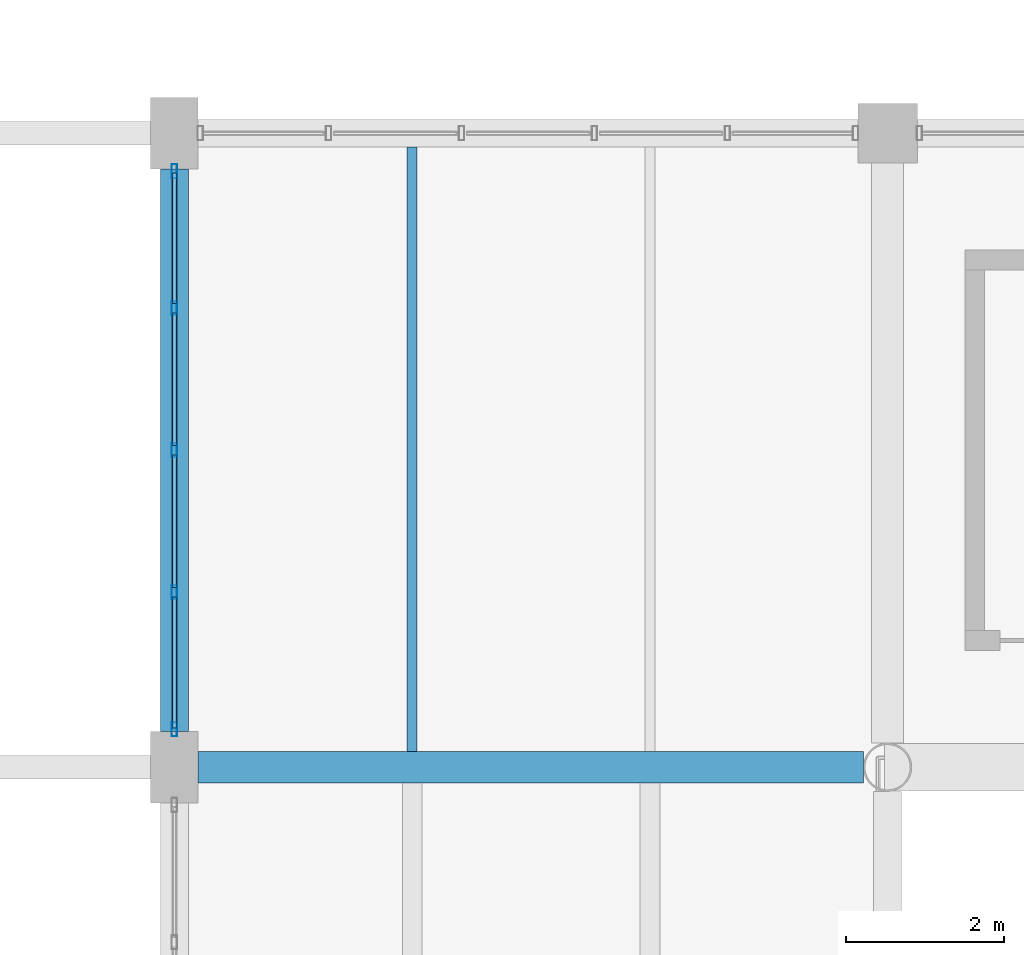
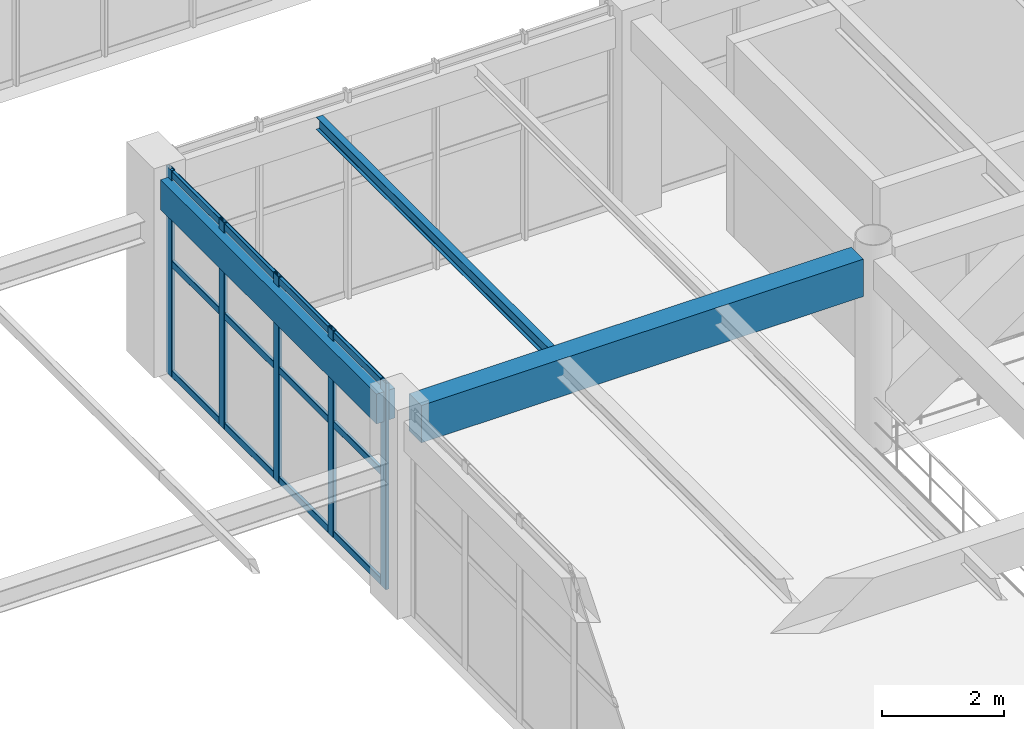
# One storey, part 56 of 148: 17 members, 3 beams, 1 element without a shape of its own.
"""IFC4 building model written with IfcOpenShell, lengths in metres."""

from ifc_helpers import new_model, si_unit, derived_unit, direction, frame, origin, origin_2d, place, context, subcontext, project, spatial, rectangle, hollow_rectangle, i_section, extrude, material, material_profile, profile_set, type_object, element, aggregate, save


model = new_model("IFC4")

# Units and contexts
model_context = context("Model", 3, precision=1e-05, world=origin(), true_north=direction((0.0, 1.0)))
body_context = subcontext(model_context, "Body", "Model", "MODEL_VIEW")
ifc_project = project(units=[si_unit("LENGTHUNIT", "METRE"), si_unit("AREAUNIT", "SQUARE_METRE"), si_unit("VOLUMEUNIT", "CUBIC_METRE"), si_unit("PLANEANGLEUNIT", "RADIAN"), si_unit("MASSUNIT", "GRAM", prefix="KILO"), derived_unit("THERMALTRANSMITTANCEUNIT", [(si_unit("MASSUNIT", "GRAM", prefix="KILO"), 1), (si_unit("TIMEUNIT", "SECOND"), -3), (si_unit("THERMODYNAMICTEMPERATUREUNIT", "KELVIN"), -1)])], contexts=[model_context])

# Site, building, storey
site_placement = place(None, origin())
site = spatial("IfcSite", under=ifc_project, at=site_placement, CompositionType="ELEMENT")
building_placement = place(site_placement, origin())
building = spatial("IfcBuilding", under=site, at=building_placement, Name="Zhenchuan Archway Interchange", CompositionType="ELEMENT")
storey_placement = place(building_placement, frame((0.0, 0.0, 10.199951171875)))
storey = spatial("IfcBuildingStorey", under=building, at=storey_placement, Name="L02", CompositionType="ELEMENT", Elevation=10.199951171875)

# Beam
ifc_material_1 = material(Name="Concrete C40", Category="concrete")
ifc_material_profile_1 = material_profile(ifc_material_1, rectangle(XDim=0.39990234375, YDim=0.75, at=origin_2d()), Name="RC 400x750")
ifc_profile_set_1 = profile_set([ifc_material_profile_1], Name="Concrete C40")
beam_type_1 = type_object("IfcBeamType", Name="BM_RC_400x750", PredefinedType="BEAM", material=ifc_profile_set_1)
beam_1_placement = place(storey_placement, frame((27.300048828125, 80.0, 3.56494140625), z_axis=(1.0, 0.0, 0.0), x_axis=(0.0, 1.0, 0.0)))
element("IfcBeam", 1, at=beam_1_placement, inside=storey, type_object=beam_type_1, Name="Beam L:4-5 (L02)", PredefinedType="BEAM", context=body_context, shape_type="SweptSolid", body=[
    extrude(rectangle(XDim=0.39990234375, YDim=0.75, at=origin_2d()), origin(), (0.0, 0.0, 1.0), 8.39501953125),
])

# Curtain wall, members
ifc_material_2 = material(Name="Anodised Aluminium", Category="aluminium")
curtain_wall_type = type_object("IfcCurtainWallType", Name="CW_UNIT_2", PredefinedType="NOTDEFINED", material=ifc_material_2)
curtain_wall_placement = place(storey_placement, origin())
curtain_wall = element("IfcCurtainWall", 2, at=curtain_wall_placement, inside=storey, type_object=curtain_wall_type, Name="Unitised curtain wall CW:L02:133", PredefinedType="NOTDEFINED")
ifc_material_profile_2 = material_profile(ifc_material_2, hollow_rectangle(XDim=0.070068359375, YDim=0.179931640625, WallThickness=0.00390625, InnerFilletRadius=0.00390625, OuterFilletRadius=0.008056640625, at=origin_2d()), Name="ALU 180x70x4")
ifc_profile_set_2 = profile_set([ifc_material_profile_2], Name="Anodised Aluminium")
member_type_1 = type_object("IfcMemberType", Name="CW_MUL_180", PredefinedType="MULLION", material=ifc_profile_set_2)
member_1_placement = place(storey_placement, frame((27.0, 80.47802734375, 0.0), z_axis=(0.0, 0.0, 1.0), x_axis=(1.0, 0.0, 0.0)))
member_1 = element("IfcMember", 3, at=member_1_placement, type_object=member_type_1, Name="CW:L02:133 mullion 0", PredefinedType="MULLION", context=body_context, shape_type="SweptSolid", body=[
    extrude(hollow_rectangle(XDim=0.070068359375, YDim=0.179931640625, WallThickness=0.00390625, InnerFilletRadius=0.00390625, OuterFilletRadius=0.008056640625, at=origin_2d()), origin(), (0.0, 0.0, 1.0), 4.14013671875),
])
member_2_placement = place(storey_placement, frame((27.0, 82.208984375, 0.0), z_axis=(0.0, 0.0, 1.0), x_axis=(1.0, 0.0, 0.0)))
member_2 = element("IfcMember", 4, at=member_2_placement, type_object=member_type_1, Name="CW:L02:133 mullion 1", PredefinedType="MULLION", context=body_context, shape_type="SweptSolid", body=[
    extrude(hollow_rectangle(XDim=0.070068359375, YDim=0.179931640625, WallThickness=0.00390625, InnerFilletRadius=0.00390625, OuterFilletRadius=0.008056640625, at=origin_2d()), origin(), (0.0, 0.0, 1.0), 4.14013671875),
])
member_3_placement = place(storey_placement, frame((27.0, 84.0, 0.0), z_axis=(0.0, 0.0, 1.0), x_axis=(1.0, 0.0, 0.0)))
member_3 = element("IfcMember", 5, at=member_3_placement, type_object=member_type_1, Name="CW:L02:133 mullion 2", PredefinedType="MULLION", context=body_context, shape_type="SweptSolid", body=[
    extrude(hollow_rectangle(XDim=0.070068359375, YDim=0.179931640625, WallThickness=0.00390625, InnerFilletRadius=0.00390625, OuterFilletRadius=0.008056640625, at=origin_2d()), origin(), (0.0, 0.0, 1.0), 4.14013671875),
])
member_4_placement = place(storey_placement, frame((27.0, 85.791015625, 0.0), z_axis=(0.0, 0.0, 1.0), x_axis=(1.0, 0.0, 0.0)))
member_4 = element("IfcMember", 6, at=member_4_placement, type_object=member_type_1, Name="CW:L02:133 mullion 3", PredefinedType="MULLION", context=body_context, shape_type="SweptSolid", body=[
    extrude(hollow_rectangle(XDim=0.070068359375, YDim=0.179931640625, WallThickness=0.00390625, InnerFilletRadius=0.00390625, OuterFilletRadius=0.008056640625, at=origin_2d()), origin(), (0.0, 0.0, 1.0), 4.14013671875),
])
member_5_placement = place(storey_placement, frame((27.0, 87.52197265625, 0.0), z_axis=(0.0, 0.0, 1.0), x_axis=(1.0, 0.0, 0.0)))
member_5 = element("IfcMember", 7, at=member_5_placement, type_object=member_type_1, Name="CW:L02:133 mullion 4", PredefinedType="MULLION", context=body_context, shape_type="SweptSolid", body=[
    extrude(hollow_rectangle(XDim=0.070068359375, YDim=0.179931640625, WallThickness=0.00390625, InnerFilletRadius=0.00390625, OuterFilletRadius=0.008056640625, at=origin_2d()), origin(), (0.0, 0.0, 1.0), 4.14013671875),
])
ifc_material_profile_3 = material_profile(ifc_material_2, hollow_rectangle(XDim=0.06005859375, YDim=0.139892578125, WallThickness=0.00341796875, InnerFilletRadius=0.00341796875, OuterFilletRadius=0.007080078125, at=origin_2d()), Name="ALU 140x60x3.5")
ifc_profile_set_3 = profile_set([ifc_material_profile_3], Name="Anodised Aluminium")
member_type_2 = type_object("IfcMemberType", Name="CW_TRN_140", PredefinedType="USERDEFINED", material=ifc_profile_set_3)
member_6_placement = place(storey_placement, frame((27.0, 80.498046875, 0.06005859375), z_axis=(0.0, 1.0, 0.0), x_axis=(-1.0, 0.0, 0.0)))
member_6 = element("IfcMember", 8, at=member_6_placement, type_object=member_type_2, Name="CW:L02:133 transom 0-1", ObjectType="TRANSOM", PredefinedType="USERDEFINED", context=body_context, shape_type="SweptSolid", body=[
    extrude(hollow_rectangle(XDim=0.06005859375, YDim=0.139892578125, WallThickness=0.00341796875, InnerFilletRadius=0.00341796875, OuterFilletRadius=0.007080078125, at=origin_2d()), origin(), (0.0, 0.0, 1.0), 1.65087890625),
])
member_7_placement = place(storey_placement, frame((27.0, 80.498046875, 2.26611328125), z_axis=(0.0, 1.0, 0.0), x_axis=(-1.0, 0.0, 0.0)))
member_7 = element("IfcMember", 9, at=member_7_placement, type_object=member_type_2, Name="CW:L02:133 transom 0-2", ObjectType="TRANSOM", PredefinedType="USERDEFINED", context=body_context, shape_type="SweptSolid", body=[
    extrude(hollow_rectangle(XDim=0.06005859375, YDim=0.139892578125, WallThickness=0.00341796875, InnerFilletRadius=0.00341796875, OuterFilletRadius=0.007080078125, at=origin_2d()), origin(), (0.0, 0.0, 1.0), 1.65087890625),
])
member_8_placement = place(storey_placement, frame((27.0, 80.498046875, 4.06005859375), z_axis=(0.0, 1.0, 0.0), x_axis=(-1.0, 0.0, 0.0)))
member_8 = element("IfcMember", 10, at=member_8_placement, type_object=member_type_2, Name="CW:L02:133 transom 0-3", ObjectType="TRANSOM", PredefinedType="USERDEFINED", context=body_context, shape_type="SweptSolid", body=[
    extrude(hollow_rectangle(XDim=0.06005859375, YDim=0.139892578125, WallThickness=0.00341796875, InnerFilletRadius=0.00341796875, OuterFilletRadius=0.007080078125, at=origin_2d()), origin(), (0.0, 0.0, 1.0), 1.65087890625),
])
member_9_placement = place(storey_placement, frame((27.0, 82.26904296875, 0.06005859375), z_axis=(0.0, 1.0, 0.0), x_axis=(-1.0, 0.0, 0.0)))
member_9 = element("IfcMember", 11, at=member_9_placement, type_object=member_type_2, Name="CW:L02:133 transom 1-1", ObjectType="TRANSOM", PredefinedType="USERDEFINED", context=body_context, shape_type="SweptSolid", body=[
    extrude(hollow_rectangle(XDim=0.06005859375, YDim=0.139892578125, WallThickness=0.00341796875, InnerFilletRadius=0.00341796875, OuterFilletRadius=0.007080078125, at=origin_2d()), origin(), (0.0, 0.0, 1.0), 1.6708984375),
])
member_10_placement = place(storey_placement, frame((27.0, 82.26904296875, 2.26611328125), z_axis=(0.0, 1.0, 0.0), x_axis=(-1.0, 0.0, 0.0)))
member_10 = element("IfcMember", 12, at=member_10_placement, type_object=member_type_2, Name="CW:L02:133 transom 1-2", ObjectType="TRANSOM", PredefinedType="USERDEFINED", context=body_context, shape_type="SweptSolid", body=[
    extrude(hollow_rectangle(XDim=0.06005859375, YDim=0.139892578125, WallThickness=0.00341796875, InnerFilletRadius=0.00341796875, OuterFilletRadius=0.007080078125, at=origin_2d()), origin(), (0.0, 0.0, 1.0), 1.6708984375),
])
member_11_placement = place(storey_placement, frame((27.0, 82.26904296875, 4.06005859375), z_axis=(0.0, 1.0, 0.0), x_axis=(-1.0, 0.0, 0.0)))
member_11 = element("IfcMember", 13, at=member_11_placement, type_object=member_type_2, Name="CW:L02:133 transom 1-3", ObjectType="TRANSOM", PredefinedType="USERDEFINED", context=body_context, shape_type="SweptSolid", body=[
    extrude(hollow_rectangle(XDim=0.06005859375, YDim=0.139892578125, WallThickness=0.00341796875, InnerFilletRadius=0.00341796875, OuterFilletRadius=0.007080078125, at=origin_2d()), origin(), (0.0, 0.0, 1.0), 1.6708984375),
])
member_12_placement = place(storey_placement, frame((27.0, 84.06005859375, 0.06005859375), z_axis=(0.0, 1.0, 0.0), x_axis=(-1.0, 0.0, 0.0)))
member_12 = element("IfcMember", 14, at=member_12_placement, type_object=member_type_2, Name="CW:L02:133 transom 2-1", ObjectType="TRANSOM", PredefinedType="USERDEFINED", context=body_context, shape_type="SweptSolid", body=[
    extrude(hollow_rectangle(XDim=0.06005859375, YDim=0.139892578125, WallThickness=0.00341796875, InnerFilletRadius=0.00341796875, OuterFilletRadius=0.007080078125, at=origin_2d()), origin(), (0.0, 0.0, 1.0), 1.6708984375),
])
member_13_placement = place(storey_placement, frame((27.0, 84.06005859375, 2.26611328125), z_axis=(0.0, 1.0, 0.0), x_axis=(-1.0, 0.0, 0.0)))
member_13 = element("IfcMember", 15, at=member_13_placement, type_object=member_type_2, Name="CW:L02:133 transom 2-2", ObjectType="TRANSOM", PredefinedType="USERDEFINED", context=body_context, shape_type="SweptSolid", body=[
    extrude(hollow_rectangle(XDim=0.06005859375, YDim=0.139892578125, WallThickness=0.00341796875, InnerFilletRadius=0.00341796875, OuterFilletRadius=0.007080078125, at=origin_2d()), origin(), (0.0, 0.0, 1.0), 1.6708984375),
])
member_14_placement = place(storey_placement, frame((27.0, 84.06005859375, 4.06005859375), z_axis=(0.0, 1.0, 0.0), x_axis=(-1.0, 0.0, 0.0)))
member_14 = element("IfcMember", 16, at=member_14_placement, type_object=member_type_2, Name="CW:L02:133 transom 2-3", ObjectType="TRANSOM", PredefinedType="USERDEFINED", context=body_context, shape_type="SweptSolid", body=[
    extrude(hollow_rectangle(XDim=0.06005859375, YDim=0.139892578125, WallThickness=0.00341796875, InnerFilletRadius=0.00341796875, OuterFilletRadius=0.007080078125, at=origin_2d()), origin(), (0.0, 0.0, 1.0), 1.6708984375),
])
member_15_placement = place(storey_placement, frame((27.0, 85.85107421875, 0.06005859375), z_axis=(0.0, 1.0, 0.0), x_axis=(-1.0, 0.0, 0.0)))
member_15 = element("IfcMember", 17, at=member_15_placement, type_object=member_type_2, Name="CW:L02:133 transom 3-1", ObjectType="TRANSOM", PredefinedType="USERDEFINED", context=body_context, shape_type="SweptSolid", body=[
    extrude(hollow_rectangle(XDim=0.06005859375, YDim=0.139892578125, WallThickness=0.00341796875, InnerFilletRadius=0.00341796875, OuterFilletRadius=0.007080078125, at=origin_2d()), origin(), (0.0, 0.0, 1.0), 1.65087890625),
])
member_16_placement = place(storey_placement, frame((27.0, 85.85107421875, 2.26611328125), z_axis=(0.0, 1.0, 0.0), x_axis=(-1.0, 0.0, 0.0)))
member_16 = element("IfcMember", 18, at=member_16_placement, type_object=member_type_2, Name="CW:L02:133 transom 3-2", ObjectType="TRANSOM", PredefinedType="USERDEFINED", context=body_context, shape_type="SweptSolid", body=[
    extrude(hollow_rectangle(XDim=0.06005859375, YDim=0.139892578125, WallThickness=0.00341796875, InnerFilletRadius=0.00341796875, OuterFilletRadius=0.007080078125, at=origin_2d()), origin(), (0.0, 0.0, 1.0), 1.65087890625),
])
member_17_placement = place(storey_placement, frame((27.0, 85.85107421875, 4.06005859375), z_axis=(0.0, 1.0, 0.0), x_axis=(-1.0, 0.0, 0.0)))
member_17 = element("IfcMember", 19, at=member_17_placement, type_object=member_type_2, Name="CW:L02:133 transom 3-3", ObjectType="TRANSOM", PredefinedType="USERDEFINED", context=body_context, shape_type="SweptSolid", body=[
    extrude(hollow_rectangle(XDim=0.06005859375, YDim=0.139892578125, WallThickness=0.00341796875, InnerFilletRadius=0.00341796875, OuterFilletRadius=0.007080078125, at=origin_2d()), origin(), (0.0, 0.0, 1.0), 1.65087890625),
])
aggregate(curtain_wall, [member_1, member_2, member_3, member_4, member_5, member_6, member_7, member_8, member_9, member_10, member_11, member_12, member_13, member_14, member_15, member_16, member_17])

# Beams
ifc_material_3 = material(Name="Steel Q355", Category="steel")
ifc_material_profile_4 = material_profile(ifc_material_3, i_section(OverallWidth=0.125, OverallDepth=0.25, WebThickness=0.006103515625, FlangeThickness=0.009033203125, FilletRadius=0.011962890625, at=origin_2d()), Name="HN 250x125")
ifc_profile_set_4 = profile_set([ifc_material_profile_4], Name="Steel Q355")
beam_type_2 = type_object("IfcBeamType", Name="JST_STL_HN250", PredefinedType="JOIST", material=ifc_profile_set_4)
beam_2_placement = place(storey_placement, frame((30.0, 80.199951171875, 3.81494140625), z_axis=(0.0, 1.0, 0.0), x_axis=(-1.0, 0.0, 0.0)))
element("IfcBeam", 20, at=beam_2_placement, inside=storey, type_object=beam_type_2, Name="Secondary joist 4-5/L-M #1 (L02)", PredefinedType="JOIST", context=body_context, shape_type="SweptSolid", body=[
    extrude(i_section(OverallWidth=0.125, OverallDepth=0.25, WebThickness=0.006103515625, FlangeThickness=0.009033203125, FilletRadius=0.011962890625, at=origin_2d()), origin(), (0.0, 0.0, 1.0), 7.625),
])
ifc_material_profile_5 = material_profile(ifc_material_1, rectangle(XDim=0.35009765625, YDim=0.60009765625, at=origin_2d()), Name="RC 350x600")
ifc_profile_set_5 = profile_set([ifc_material_profile_5], Name="Concrete C40")
beam_type_3 = type_object("IfcBeamType", Name="SP_RC_350x600", PredefinedType="SPANDREL", material=ifc_profile_set_5)
beam_3_placement = place(storey_placement, frame((27.0, 80.449951171875, 3.64013671875), z_axis=(0.0, 1.0, 0.0), x_axis=(-1.0, 0.0, 0.0)))
element("IfcBeam", 21, at=beam_3_placement, inside=storey, type_object=beam_type_3, Name="Beam 4:L-M (L02)", PredefinedType="SPANDREL", context=body_context, shape_type="SweptSolid", body=[
    extrude(rectangle(XDim=0.35009765625, YDim=0.60009765625, at=origin_2d()), origin(), (0.0, 0.0, 1.0), 7.10009765625),
])

save(model, "model.ifc")
